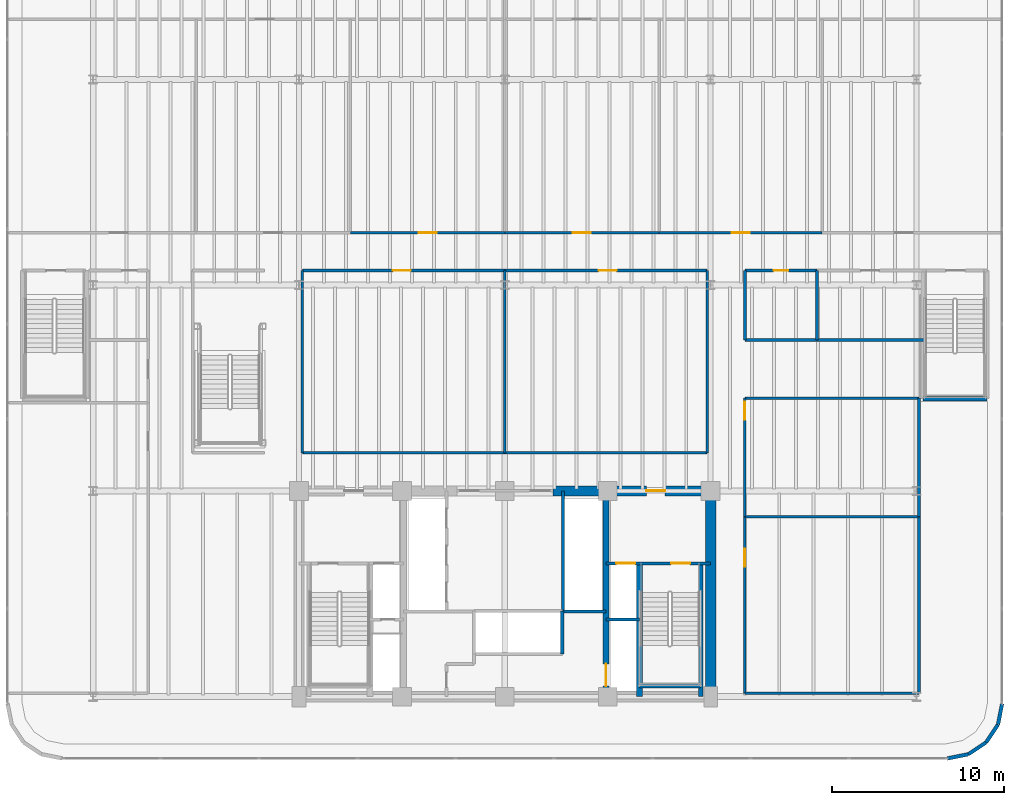
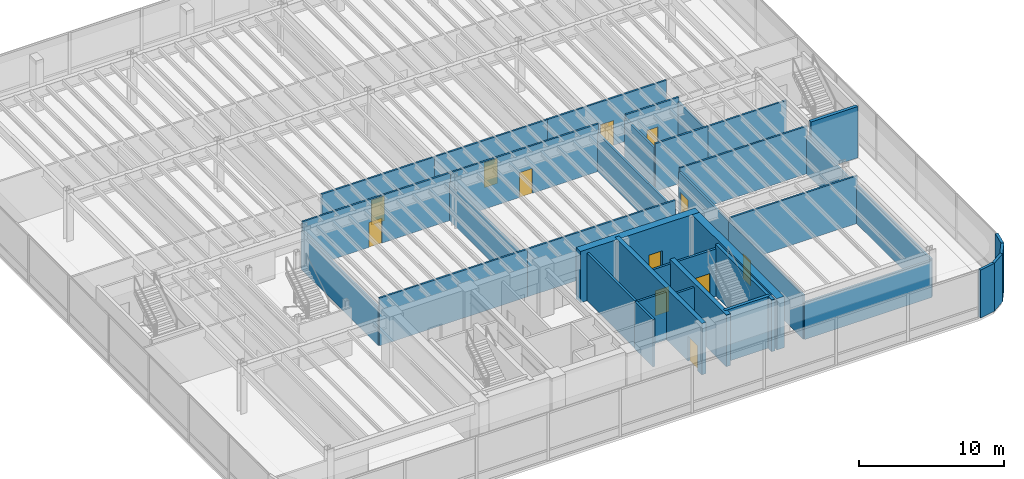
# One storey, part 13 of 18: 38 walls, 12 doors, 12 openings.
"""IFC4 building model written with IfcOpenShell, lengths in metres."""

from ifc_helpers import new_model, si_unit, direction, frame, frame_2d, origin, origin_2d, place, context, subcontext, project, spatial, rectangle, extrude, source, transform, mapped, material, layer, layer_set, type_object, element, fill, save


model = new_model("IFC4")

# Units and contexts
model_context = context("Model", 3, precision=1e-05, world=origin(), true_north=direction((0.0, 1.0)))
body_context = subcontext(model_context, "Body", "Model", "MODEL_VIEW")
ifc_project = project(units=[si_unit("LENGTHUNIT", "METRE"), si_unit("AREAUNIT", "SQUARE_METRE"), si_unit("VOLUMEUNIT", "CUBIC_METRE"), si_unit("PLANEANGLEUNIT", "RADIAN"), si_unit("MASSUNIT", "GRAM", prefix="KILO")], contexts=[model_context])

# Site, building, storey
site_placement = place(None, origin())
site = spatial("IfcSite", under=ifc_project, at=site_placement, CompositionType="ELEMENT")
building_placement = place(site_placement, origin())
building = spatial("IfcBuilding", under=site, at=building_placement, Name="Brelvock Crest Care Tower", CompositionType="ELEMENT")
storey_placement = place(building_placement, frame((0.0, 0.0, 5.39990234375)))
storey = spatial("IfcBuildingStorey", under=building, at=storey_placement, Name="L01", CompositionType="ELEMENT", Elevation=5.39990234375)

# Wall
ifc_material_1 = material(Name="Concrete S80 (80 MPa)", Category="concrete")
ifc_layer_1 = layer(ifc_material_1, 0.60009765625, Name="WL-CS1")
ifc_layer_set_1 = layer_set([ifc_layer_1], Name="Concrete S80 (80 MPa)")
wall_type_1 = type_object("IfcWallType", Name="WL-CS1", PredefinedType="SHEAR", material=ifc_layer_set_1)
wall_1_placement = place(storey_placement, frame((48.0, 18.0, 0.0), z_axis=(0.0, 0.0, 1.0), x_axis=(0.0, -1.0, 0.0)))
element("IfcWall", 1, at=wall_1_placement, inside=storey, type_object=wall_type_1, Name="L01 Core East Shear Wall", PredefinedType="SHEAR", context=body_context, shape_type="SweptSolid", body=[
    extrude(rectangle(XDim=12.0, YDim=0.60009765625, at=frame_2d((6.0, 0.0))), origin(), (0.0, 0.0, 1.0), 4.320068359375),
])

# Wall, opening, door
wall_2_placement = place(storey_placement, frame((38.800048828125, 18.0, 0.0), z_axis=(0.0, 0.0, 1.0), x_axis=(1.0, 0.0, 0.0)))
wall_2 = element("IfcWall", 2, at=wall_2_placement, inside=storey, type_object=wall_type_1, Name="L01 Core North-East Shear Wall", PredefinedType="SHEAR", context=body_context, shape_type="SweptSolid", body=[
    extrude(rectangle(XDim=9.5, YDim=0.60009765625, at=frame_2d((4.75, 0.0))), origin(), (0.0, 0.0, 1.0), 4.320068359375),
])
opening_1_placement = place(wall_2_placement, frame((5.449951171875, 0.0, 0.0)))
opening_1 = element("IfcOpeningElement", 3, at=opening_1_placement, cuts=wall_2, Name="Opening FD-1", PredefinedType="OPENING", context=body_context, shape_type="SweptSolid", body=[
    extrude(rectangle(XDim=1.10009765625, YDim=2.10009765625, at=origin_2d()), frame((0.550048828125, 0.31005859375, 1.050048828125), z_axis=(0.0, -1.0, 0.0), x_axis=(1.0, 0.0, 0.0)), (0.0, 0.0, 1.0), 0.6201171875),
])
ifc_material_2 = material(Name="Steel Grade 350", Category="steel")
door_type_1 = type_object("IfcDoorType", Name="DR-FFL1", OperationType="NOTDEFINED", PredefinedType="DOOR", material=ifc_material_2)
shared_shape_1 = source(origin(), body_context, "Body", "SweptSolid", [
    extrude(rectangle(XDim=1.10009765625, YDim=2.10009765625, at=origin_2d()), frame((0.550048828125, 0.02490234375, 1.050048828125), z_axis=(0.0, -1.0, 0.0), x_axis=(1.0, 0.0, 0.0)), (0.0, 0.0, 1.0), 0.050048828125),
])
door_1_placement = place(opening_1_placement, origin())
door_1 = element("IfcDoor", 4, at=door_1_placement, inside=storey, type_object=door_type_1, Name="L01 Firefighting Lobby FFL-2 Exit Door", OperationType="SINGLE_SWING_RIGHT", OverallHeight=2.10009765625, OverallWidth=1.10009765625, PredefinedType="DOOR", context=body_context, shape_type="MappedRepresentation", body=[
    mapped(shared_shape_1, transform((0.0, 0.0, 0.0), x_axis=(1.0, 0.0, 0.0), y_axis=(0.0, 1.0, 0.0), z_axis=(0.0, 0.0, 1.0), scale=1.0)),
])
fill(opening_1, door_1)

ifc_layer_2 = layer(ifc_material_1, 0.35009765625, Name="WL-CS5")
ifc_layer_set_2 = layer_set([ifc_layer_2], Name="Concrete S80 (80 MPa)")
wall_type_2 = type_object("IfcWallType", Name="WL-CS5", PredefinedType="SHEAR", material=ifc_layer_set_2)
wall_3_placement = place(storey_placement, frame((41.89990234375, 18.0, 0.0), z_axis=(0.0, 0.0, 1.0), x_axis=(0.0, -1.0, 0.0)))
wall_3 = element("IfcWall", 5, at=wall_3_placement, inside=storey, type_object=wall_type_2, Name="L01 Core Internal Web Wall East", PredefinedType="SHEAR", context=body_context, shape_type="SweptSolid", body=[
    extrude(rectangle(XDim=12.0, YDim=0.35009765625, at=frame_2d((6.0, 0.0))), origin(), (0.0, 0.0, 1.0), 4.320068359375),
])
opening_2_placement = place(wall_3_placement, frame((10.080078125, 0.0, 0.0)))
opening_2 = element("IfcOpeningElement", 6, at=opening_2_placement, cuts=wall_3, Name="Opening LD-S", PredefinedType="OPENING", context=body_context, shape_type="SweptSolid", body=[
    extrude(rectangle(XDim=1.300048828125, YDim=2.10009765625, at=origin_2d()), frame((0.64990234375, 0.18505859375, 1.050048828125), z_axis=(0.0, -1.0, 0.0), x_axis=(1.0, 0.0, 0.0)), (0.0, 0.0, 1.0), 0.3701171875),
])
door_type_2 = type_object("IfcDoorType", Name="DR-LDS1", OperationType="NOTDEFINED", PredefinedType="DOOR", material=ifc_material_2)
shared_shape_2 = source(origin(), body_context, "Body", "SweptSolid", [
    extrude(rectangle(XDim=1.300048828125, YDim=2.10009765625, at=origin_2d()), frame((0.64990234375, 0.02490234375, 1.050048828125), z_axis=(0.0, -1.0, 0.0), x_axis=(1.0, 0.0, 0.0)), (0.0, 0.0, 1.0), 0.050048828125),
])
door_2_placement = place(opening_2_placement, origin())
door_2 = element("IfcDoor", 7, at=door_2_placement, inside=storey, type_object=door_type_2, Name="L01 Clinical Bed Lift SL-1 Landing Door", OperationType="SLIDING_TO_LEFT", OverallHeight=2.10009765625, OverallWidth=1.300048828125, PredefinedType="DOOR", context=body_context, shape_type="MappedRepresentation", body=[
    mapped(shared_shape_2, transform((0.0, 0.0, 0.0), x_axis=(1.0, 0.0, 0.0), y_axis=(0.0, 1.0, 0.0), z_axis=(0.0, 0.0, 1.0), scale=1.0)),
])
fill(opening_2, door_2)

# Walls
wall_4_placement = place(storey_placement, frame((43.85009765625, 6.0, 0.0), z_axis=(0.0, 0.0, 1.0), x_axis=(0.0, 1.0, 0.0)))
element("IfcWall", 8, at=wall_4_placement, inside=storey, type_object=wall_type_2, Name="L01 Core Stair ST-2 West Shear Wall", PredefinedType="SHEAR", context=body_context, shape_type="SweptSolid", body=[
    extrude(rectangle(XDim=7.780029296875, YDim=0.35009765625, at=frame_2d((3.89013671875, 0.0))), origin(), (0.0, 0.0, 1.0), 4.360107421875),
])
ifc_layer_3 = layer(ifc_material_1, 0.25, Name="WL-CS6")
ifc_layer_set_3 = layer_set([ifc_layer_3], Name="Concrete S80 (80 MPa)")
wall_type_3 = type_object("IfcWallType", Name="WL-CS6", PredefinedType="SHEAR", material=ifc_layer_set_3)
wall_5_placement = place(storey_placement, frame((60.3798828125, 23.3798828125, 0.0), z_axis=(0.0, 0.0, 1.0), x_axis=(1.0, 0.0, 0.0)))
element("IfcWall", 9, at=wall_5_placement, inside=storey, type_object=wall_type_3, Name="L01 Podium Stair ST-4 South Shear Wall", PredefinedType="SHEAR", context=body_context, shape_type="SweptSolid", body=[
    extrude(rectangle(XDim=3.740234375, YDim=0.25, at=frame_2d((1.8701171875, 0.0))), origin(), (0.0, 0.0, 1.0), 4.320068359375),
])
wall_6_placement = place(storey_placement, frame((47.419921875, 6.0, 0.0), z_axis=(0.0, 0.0, 1.0), x_axis=(0.0, 1.0, 0.0)))
element("IfcWall", 10, at=wall_6_placement, inside=storey, type_object=wall_type_3, Name="L01 Core Stair ST-2 East Shear Wall", PredefinedType="SHEAR", context=body_context, shape_type="SweptSolid", body=[
    extrude(rectangle(XDim=7.780029296875, YDim=0.25, at=frame_2d((3.89013671875, 0.0))), origin(), (0.0, 0.0, 1.0), 4.360107421875),
])
wall_7_placement = place(storey_placement, frame((43.85009765625, 6.6201171875, 0.0), z_axis=(0.0, 0.0, 1.0), x_axis=(1.0, 0.0, 0.0)))
element("IfcWall", 11, at=wall_7_placement, inside=storey, type_object=wall_type_3, Name="L01 Core Stair ST-2 South Shear Wall", PredefinedType="SHEAR", context=body_context, shape_type="SweptSolid", body=[
    extrude(rectangle(XDim=3.56982421875, YDim=0.25, at=frame_2d((1.784912109375, 0.0))), origin(), (0.0, 0.0, 1.0), 4.360107421875),
])
ifc_material_3 = material(Name="Precast concrete N40 (40 MPa)", Category="concrete")
ifc_layer_4 = layer(ifc_material_3, 0.215087890625, Name="WL-EX2")
ifc_layer_set_4 = layer_set([ifc_layer_4], Name="Precast concrete N40 (40 MPa)")
wall_type_4 = type_object("IfcWallType", Name="WL-EX2", PredefinedType="SOLIDWALL", material=ifc_layer_set_4)
for number, where, z_axis, x_axis, name in (
    (12, (65.0, 5.60009765625, 0.0), (0.0, 0.0, 1.0), (-0.195138390419, -0.980775717779, 0.0), "L01 Rounded Corner Wall 15"),
    (13, (64.75634765625, 4.37548828125, 0.0), (0.0, 0.0, 1.0), (-0.555557312883, -0.831478245117, 0.0), "L01 Rounded Corner Wall 16"),
    (14, (64.062744140625, 3.33740234375, 0.0), (0.0, 0.0, 1.0), (-0.831387912822, -0.555692485475, 0.0), "L01 Rounded Corner Wall 17"),
    (15, (63.024658203125, 2.6435546875, 0.0), (0.0, 0.0, 1.0), (-0.980775717779, -0.195138390419, 0.0), "L01 Rounded Corner Wall 18"),
):
    element("IfcWall", number, at=place(storey_placement, frame(where, z_axis=z_axis, x_axis=x_axis)), inside=storey, type_object=wall_type_4, Name=name, PredefinedType="SOLIDWALL", context=body_context, shape_type="SweptSolid", body=[
        extrude(rectangle(XDim=1.24853515625, YDim=0.215087890625, at=frame_2d((0.624267578125, 0.0))), origin(), (0.0, 0.0, 1.0), 4.0400390625),
    ])
ifc_material_4 = material(Name="Masonry Blockwork Acoustic Partition", Category="masonry")
ifc_layer_5 = layer(ifc_material_4, 0.14990234375, Name="WL-INT1")
ifc_layer_set_5 = layer_set([ifc_layer_5], Name="Masonry Blockwork Acoustic Partition")
wall_type_5 = type_object("IfcWallType", Name="WL-INT1", PredefinedType="PARTITIONING", material=ifc_layer_set_5)
wall_8_placement = place(storey_placement, frame((50.0, 6.199951171875, 0.0), z_axis=(0.0, 0.0, 1.0), x_axis=(1.0, 0.0, 0.0)))
element("IfcWall", 16, at=wall_8_placement, inside=storey, type_object=wall_type_5, Name="L01 Interior Wall WL-BX-L01-CL4A-S", PredefinedType="PARTITIONING", context=body_context, shape_type="SweptSolid", body=[
    extrude(rectangle(XDim=10.14990234375, YDim=0.14990234375, at=frame_2d((5.074951171875, 0.0))), origin(), (0.0, 0.0, 1.0), 3.125),
])
wall_9_placement = place(storey_placement, frame((50.0, 16.5, 0.0), z_axis=(0.0, 0.0, 1.0), x_axis=(1.0, 0.0, 0.0)))
element("IfcWall", 17, at=wall_9_placement, inside=storey, type_object=wall_type_5, Name="L01 Interior Wall WL-BX-L01-CL4A-N", PredefinedType="PARTITIONING", context=body_context, shape_type="SweptSolid", body=[
    extrude(rectangle(XDim=10.14990234375, YDim=0.14990234375, at=frame_2d((5.074951171875, 0.0))), origin(), (0.0, 0.0, 1.0), 4.010009765625),
])
for number, where, z_axis, x_axis, name in (
    (18, (24.199951171875, 20.219970703125, 0.0), (0.0, 0.0, 1.0), (1.0, 0.0, 0.0), "L01 Interior Wall WL-BX-L01-CL2-S"),
    (19, (36.0, 20.219970703125, 0.0), (0.0, 0.0, 1.0), (1.0, 0.0, 0.0), "L01 Interior Wall WL-BX-L01-CL3-S"),
):
    element("IfcWall", number, at=place(storey_placement, frame(where, z_axis=z_axis, x_axis=x_axis)), inside=storey, type_object=wall_type_5, Name=name, PredefinedType="PARTITIONING", context=body_context, shape_type="SweptSolid", body=[
        extrude(rectangle(XDim=11.800048828125, YDim=0.14990234375, at=frame_2d((5.89990234375, 0.0))), origin(), (0.0, 0.0, 1.0), 4.010009765625),
    ])
wall_10_placement = place(storey_placement, frame((50.0, 23.409912109375, 0.0), z_axis=(0.0, 0.0, 1.0), x_axis=(1.0, 0.0, 0.0)))
element("IfcWall", 20, at=wall_10_placement, inside=storey, type_object=wall_type_5, Name="L01 Interior Wall WL-BX-L01-CL4B-N", PredefinedType="PARTITIONING", context=body_context, shape_type="SweptSolid", body=[
    extrude(rectangle(XDim=10.14990234375, YDim=0.14990234375, at=frame_2d((5.074951171875, 0.0))), origin(), (0.0, 0.0, 1.0), 4.010009765625),
])
wall_11_placement = place(storey_placement, frame((54.199951171875, 26.800048828125, 0.0), z_axis=(0.0, 0.0, 1.0), x_axis=(1.0, 0.0, 0.0)))
element("IfcWall", 21, at=wall_11_placement, inside=storey, type_object=wall_type_5, Name="L01 Interior Wall WL-BX-L01-REC2-S", PredefinedType="PARTITIONING", context=body_context, shape_type="SweptSolid", body=[
    extrude(rectangle(XDim=6.25, YDim=0.14990234375, at=frame_2d((3.125, 0.0))), origin(), (0.0, 0.0, 1.0), 4.010009765625),
])

# Wall, opening, door
wall_12_placement = place(storey_placement, frame((24.199951171875, 30.85009765625, 0.0), z_axis=(0.0, 0.0, 1.0), x_axis=(1.0, 0.0, 0.0)))
wall_12 = element("IfcWall", 22, at=wall_12_placement, inside=storey, type_object=wall_type_5, Name="L01 Interior Wall WL-RM-L01-CL2", PredefinedType="PARTITIONING", context=body_context, shape_type="SweptSolid", body=[
    extrude(rectangle(XDim=11.800048828125, YDim=0.14990234375, at=frame_2d((5.89990234375, 0.0))), origin(), (0.0, 0.0, 1.0), 4.010009765625),
])
opening_3_placement = place(wall_12_placement, frame((5.27490234375, 0.0, 0.0)))
opening_3 = element("IfcOpeningElement", 23, at=opening_3_placement, cuts=wall_12, Name="Opening CLD-1", PredefinedType="OPENING", context=body_context, shape_type="SweptSolid", body=[
    extrude(rectangle(XDim=1.050048828125, YDim=2.10009765625, at=origin_2d()), frame((0.52490234375, 0.0849609375, 1.050048828125), z_axis=(0.0, -1.0, 0.0), x_axis=(1.0, 0.0, 0.0)), (0.0, 0.0, 1.0), 0.169921875),
])
ifc_material_5 = material(Name="Engineered Hardwood Timber", Category="wood")
door_type_3 = type_object("IfcDoorType", Name="DR-CLN1", OperationType="NOTDEFINED", PredefinedType="DOOR", material=ifc_material_5)
shared_shape_3 = source(origin(), body_context, "Body", "SweptSolid", [
    extrude(rectangle(XDim=1.050048828125, YDim=2.10009765625, at=origin_2d()), frame((0.52490234375, 0.02490234375, 1.050048828125), z_axis=(0.0, -1.0, 0.0), x_axis=(1.0, 0.0, 0.0)), (0.0, 0.0, 1.0), 0.050048828125),
])
door_3_placement = place(opening_3_placement, origin())
door_3 = element("IfcDoor", 24, at=door_3_placement, inside=storey, type_object=door_type_3, Name="L01 Audiology and Memory Clinic Door CL2", OperationType="SINGLE_SWING_LEFT", OverallHeight=2.10009765625, OverallWidth=1.050048828125, PredefinedType="DOOR", context=body_context, shape_type="MappedRepresentation", body=[
    mapped(shared_shape_3, transform((0.0, 0.0, 0.0), x_axis=(1.0, 0.0, 0.0), y_axis=(0.0, 1.0, 0.0), z_axis=(0.0, 0.0, 1.0), scale=1.0)),
])
fill(opening_3, door_3)

wall_13_placement = place(storey_placement, frame((36.0, 30.85009765625, 0.0), z_axis=(0.0, 0.0, 1.0), x_axis=(1.0, 0.0, 0.0)))
wall_13 = element("IfcWall", 25, at=wall_13_placement, inside=storey, type_object=wall_type_5, Name="L01 Interior Wall WL-RM-L01-CL3", PredefinedType="PARTITIONING", context=body_context, shape_type="SweptSolid", body=[
    extrude(rectangle(XDim=11.800048828125, YDim=0.14990234375, at=frame_2d((5.89990234375, 0.0))), origin(), (0.0, 0.0, 1.0), 4.010009765625),
])
opening_4_placement = place(wall_13_placement, frame((5.47509765625, 0.0, 0.0)))
opening_4 = element("IfcOpeningElement", 26, at=opening_4_placement, cuts=wall_13, Name="Opening CLD-1", PredefinedType="OPENING", context=body_context, shape_type="SweptSolid", body=[
    extrude(rectangle(XDim=1.050048828125, YDim=2.10009765625, at=origin_2d()), frame((0.52490234375, 0.0849609375, 1.050048828125), z_axis=(0.0, -1.0, 0.0), x_axis=(1.0, 0.0, 0.0)), (0.0, 0.0, 1.0), 0.169921875),
])
door_4_placement = place(opening_4_placement, origin())
door_4 = element("IfcDoor", 27, at=door_4_placement, inside=storey, type_object=door_type_3, Name="L01 Cardiology Assessment Suite Door CL3", OperationType="SINGLE_SWING_LEFT", OverallHeight=2.10009765625, OverallWidth=1.050048828125, PredefinedType="DOOR", context=body_context, shape_type="MappedRepresentation", body=[
    mapped(shared_shape_3, transform((0.0, 0.0, 0.0), x_axis=(1.0, 0.0, 0.0), y_axis=(0.0, 1.0, 0.0), z_axis=(0.0, 0.0, 1.0), scale=1.0)),
])
fill(opening_4, door_4)

wall_14_placement = place(storey_placement, frame((27.0, 33.050048828125, 0.0), z_axis=(0.0, 0.0, 1.0), x_axis=(1.0, 0.0, 0.0)))
wall_14 = element("IfcWall", 28, at=wall_14_placement, inside=storey, type_object=wall_type_5, Name="L01 Interior Wall WL-RM-L01-CL6A", PredefinedType="PARTITIONING", context=body_context, shape_type="SweptSolid", body=[
    extrude(rectangle(XDim=9.0, YDim=0.14990234375, at=frame_2d((4.5, 0.0))), origin(), (0.0, 0.0, 1.0), 4.010009765625),
])
opening_5_placement = place(wall_14_placement, frame((3.97509765625, 0.0, 0.0)))
opening_5 = element("IfcOpeningElement", 29, at=opening_5_placement, cuts=wall_14, Name="Opening CLD-1", PredefinedType="OPENING", context=body_context, shape_type="SweptSolid", body=[
    extrude(rectangle(XDim=1.050048828125, YDim=2.10009765625, at=origin_2d()), frame((0.52490234375, 0.0849609375, 1.050048828125), z_axis=(0.0, -1.0, 0.0), x_axis=(1.0, 0.0, 0.0)), (0.0, 0.0, 1.0), 0.169921875),
])
door_5_placement = place(opening_5_placement, origin())
door_5 = element("IfcDoor", 30, at=door_5_placement, inside=storey, type_object=door_type_3, Name="L01 Outpatient Consultation West Door CL6A", OperationType="SINGLE_SWING_LEFT", OverallHeight=2.10009765625, OverallWidth=1.050048828125, PredefinedType="DOOR", context=body_context, shape_type="MappedRepresentation", body=[
    mapped(shared_shape_3, transform((0.0, 0.0, 0.0), x_axis=(1.0, 0.0, 0.0), y_axis=(0.0, 1.0, 0.0), z_axis=(0.0, 0.0, 1.0), scale=1.0)),
])
fill(opening_5, door_5)

wall_15_placement = place(storey_placement, frame((36.0, 33.050048828125, 0.0), z_axis=(0.0, 0.0, 1.0), x_axis=(1.0, 0.0, 0.0)))
wall_15 = element("IfcWall", 31, at=wall_15_placement, inside=storey, type_object=wall_type_5, Name="L01 Interior Wall WL-RM-L01-CL6B", PredefinedType="PARTITIONING", context=body_context, shape_type="SweptSolid", body=[
    extrude(rectangle(XDim=9.0, YDim=0.14990234375, at=frame_2d((4.5, 0.0))), origin(), (0.0, 0.0, 1.0), 4.010009765625),
])
opening_6_placement = place(wall_15_placement, frame((3.97509765625, 0.0, 0.0)))
opening_6 = element("IfcOpeningElement", 32, at=opening_6_placement, cuts=wall_15, Name="Opening CLD-1", PredefinedType="OPENING", context=body_context, shape_type="SweptSolid", body=[
    extrude(rectangle(XDim=1.050048828125, YDim=2.10009765625, at=origin_2d()), frame((0.52490234375, 0.0849609375, 1.050048828125), z_axis=(0.0, -1.0, 0.0), x_axis=(1.0, 0.0, 0.0)), (0.0, 0.0, 1.0), 0.169921875),
])
door_6_placement = place(opening_6_placement, origin())
door_6 = element("IfcDoor", 33, at=door_6_placement, inside=storey, type_object=door_type_3, Name="L01 Outpatient Consultation East Door CL6B", OperationType="SINGLE_SWING_LEFT", OverallHeight=2.10009765625, OverallWidth=1.050048828125, PredefinedType="DOOR", context=body_context, shape_type="MappedRepresentation", body=[
    mapped(shared_shape_3, transform((0.0, 0.0, 0.0), x_axis=(1.0, 0.0, 0.0), y_axis=(0.0, 1.0, 0.0), z_axis=(0.0, 0.0, 1.0), scale=1.0)),
])
fill(opening_6, door_6)

wall_16_placement = place(storey_placement, frame((45.0, 33.050048828125, 0.0), z_axis=(0.0, 0.0, 1.0), x_axis=(1.0, 0.0, 0.0)))
wall_16 = element("IfcWall", 34, at=wall_16_placement, inside=storey, type_object=wall_type_5, Name="L01 Interior Wall WL-RM-L01-CL7A", PredefinedType="PARTITIONING", context=body_context, shape_type="SweptSolid", body=[
    extrude(rectangle(XDim=9.5, YDim=0.14990234375, at=frame_2d((4.75, 0.0))), origin(), (0.0, 0.0, 1.0), 4.010009765625),
])
opening_7_placement = place(wall_16_placement, frame((4.22509765625, 0.0, 0.0)))
opening_7 = element("IfcOpeningElement", 35, at=opening_7_placement, cuts=wall_16, Name="Opening CLD-1", PredefinedType="OPENING", context=body_context, shape_type="SweptSolid", body=[
    extrude(rectangle(XDim=1.050048828125, YDim=2.10009765625, at=origin_2d()), frame((0.52490234375, 0.0849609375, 1.050048828125), z_axis=(0.0, -1.0, 0.0), x_axis=(1.0, 0.0, 0.0)), (0.0, 0.0, 1.0), 0.169921875),
])
door_7_placement = place(opening_7_placement, origin())
door_7 = element("IfcDoor", 36, at=door_7_placement, inside=storey, type_object=door_type_3, Name="L01 Minor Procedure Suite Door CL7A", OperationType="SINGLE_SWING_LEFT", OverallHeight=2.10009765625, OverallWidth=1.050048828125, PredefinedType="DOOR", context=body_context, shape_type="MappedRepresentation", body=[
    mapped(shared_shape_3, transform((0.0, 0.0, 0.0), x_axis=(1.0, 0.0, 0.0), y_axis=(0.0, 1.0, 0.0), z_axis=(0.0, 0.0, 1.0), scale=1.0)),
])
fill(opening_7, door_7)

# Walls
for number, where, z_axis, x_axis, name in (
    (37, (24.199951171875, 20.219970703125, 0.0), (0.0, 0.0, 1.0), (0.0, 1.0, 0.0), "L01 Interior Wall WL-BX-L01-CL2-W"),
    (38, (36.0, 20.219970703125, 0.0), (0.0, 0.0, 1.0), (0.0, 1.0, 0.0), "L01 Interior Wall WL-BX-L01-CL2-E"),
    (39, (47.800048828125, 20.219970703125, 0.0), (0.0, 0.0, 1.0), (0.0, 1.0, 0.0), "L01 Interior Wall WL-BX-L01-CL3-E"),
):
    element("IfcWall", number, at=place(storey_placement, frame(where, z_axis=z_axis, x_axis=x_axis)), inside=storey, type_object=wall_type_5, Name=name, PredefinedType="PARTITIONING", context=body_context, shape_type="SweptSolid", body=[
        extrude(rectangle(XDim=10.630126953125, YDim=0.14990234375, at=frame_2d((5.31494140625, 0.0))), origin(), (0.0, 0.0, 1.0), 3.22509765625),
    ])

# Wall, opening, door
wall_17_placement = place(storey_placement, frame((50.0, 6.199951171875, 0.0), z_axis=(0.0, 0.0, 1.0), x_axis=(0.0, 1.0, 0.0)))
wall_17 = element("IfcWall", 40, at=wall_17_placement, inside=storey, type_object=wall_type_5, Name="L01 Interior Wall WL-RM-L01-CL4A", PredefinedType="PARTITIONING", context=body_context, shape_type="SweptSolid", body=[
    extrude(rectangle(XDim=10.300048828125, YDim=0.14990234375, at=frame_2d((5.14990234375, 0.0))), origin(), (0.0, 0.0, 1.0), 3.718017578125),
])
opening_8_placement = place(wall_17_placement, frame((7.375, 0.0, 0.0)))
opening_8 = element("IfcOpeningElement", 41, at=opening_8_placement, cuts=wall_17, Name="Opening CLD-1", PredefinedType="OPENING", context=body_context, shape_type="SweptSolid", body=[
    extrude(rectangle(XDim=1.050048828125, YDim=2.10009765625, at=origin_2d()), frame((0.52490234375, 0.0849609375, 1.050048828125), z_axis=(0.0, -1.0, 0.0), x_axis=(1.0, 0.0, 0.0)), (0.0, 0.0, 1.0), 0.169921875),
])
door_8_placement = place(opening_8_placement, origin())
door_8 = element("IfcDoor", 42, at=door_8_placement, inside=storey, type_object=door_type_3, Name="L01 Diagnostic Imaging Suite Door CL4A", OperationType="SINGLE_SWING_LEFT", OverallHeight=2.10009765625, OverallWidth=1.050048828125, PredefinedType="DOOR", context=body_context, shape_type="MappedRepresentation", body=[
    mapped(shared_shape_3, transform((0.0, 0.0, 0.0), x_axis=(1.0, 0.0, 0.0), y_axis=(0.0, 1.0, 0.0), z_axis=(0.0, 0.0, 1.0), scale=1.0)),
])
fill(opening_8, door_8)

wall_18_placement = place(storey_placement, frame((50.0, 16.5, 0.0), z_axis=(0.0, 0.0, 1.0), x_axis=(0.0, 1.0, 0.0)))
wall_18 = element("IfcWall", 43, at=wall_18_placement, inside=storey, type_object=wall_type_5, Name="L01 Interior Wall WL-RM-L01-CL4B", PredefinedType="PARTITIONING", context=body_context, shape_type="SweptSolid", body=[
    extrude(rectangle(XDim=6.909912109375, YDim=0.14990234375, at=frame_2d((3.455078125, 0.0))), origin(), (0.0, 0.0, 1.0), 3.718017578125),
])
opening_9_placement = place(wall_18_placement, frame((5.639892578125, 0.0, 0.0)))
opening_9 = element("IfcOpeningElement", 44, at=opening_9_placement, cuts=wall_18, Name="Opening CLD-1", PredefinedType="OPENING", context=body_context, shape_type="SweptSolid", body=[
    extrude(rectangle(XDim=1.050048828125, YDim=2.10009765625, at=origin_2d()), frame((0.52490234375, 0.0849609375, 1.050048828125), z_axis=(0.0, -1.0, 0.0), x_axis=(1.0, 0.0, 0.0)), (0.0, 0.0, 1.0), 0.169921875),
])
door_9_placement = place(opening_9_placement, origin())
door_9 = element("IfcDoor", 45, at=door_9_placement, inside=storey, type_object=door_type_3, Name="L01 Ultrasound and Bone Density Door CL4B", OperationType="SINGLE_SWING_LEFT", OverallHeight=2.10009765625, OverallWidth=1.050048828125, PredefinedType="DOOR", context=body_context, shape_type="MappedRepresentation", body=[
    mapped(shared_shape_3, transform((0.0, 0.0, 0.0), x_axis=(1.0, 0.0, 0.0), y_axis=(0.0, 1.0, 0.0), z_axis=(0.0, 0.0, 1.0), scale=1.0)),
])
fill(opening_9, door_9)

# Walls
wall_19_placement = place(storey_placement, frame((60.14990234375, 6.199951171875, 0.0), z_axis=(0.0, 0.0, 1.0), x_axis=(0.0, 1.0, 0.0)))
element("IfcWall", 46, at=wall_19_placement, inside=storey, type_object=wall_type_5, Name="L01 Interior Wall WL-BX-L01-CL4A-E", PredefinedType="PARTITIONING", context=body_context, shape_type="SweptSolid", body=[
    extrude(rectangle(XDim=10.300048828125, YDim=0.14990234375, at=frame_2d((5.14990234375, 0.0))), origin(), (0.0, 0.0, 1.0), 3.22509765625),
])
wall_20_placement = place(storey_placement, frame((60.14990234375, 16.5, 0.0), z_axis=(0.0, 0.0, 1.0), x_axis=(0.0, 1.0, 0.0)))
element("IfcWall", 47, at=wall_20_placement, inside=storey, type_object=wall_type_5, Name="L01 Interior Wall WL-BX-L01-CL4B-E", PredefinedType="PARTITIONING", context=body_context, shape_type="SweptSolid", body=[
    extrude(rectangle(XDim=6.909912109375, YDim=0.14990234375, at=frame_2d((3.455078125, 0.0))), origin(), (0.0, 0.0, 1.0), 3.22509765625),
])
ifc_material_6 = material(Name="Gypsum Plasterboard Partition", Category="gypsum")
ifc_layer_6 = layer(ifc_material_6, 0.159912109375, Name="WL-PLM1")
ifc_layer_set_6 = layer_set([ifc_layer_6], Name="Gypsum Plasterboard Partition")
wall_type_6 = type_object("IfcWallType", Name="WL-PLM1", PredefinedType="PLUMBINGWALL", material=ifc_layer_set_6)
wall_21_placement = place(storey_placement, frame((50.0, 26.800048828125, 0.0), z_axis=(0.0, 0.0, 1.0), x_axis=(1.0, 0.0, 0.0)))
element("IfcWall", 48, at=wall_21_placement, inside=storey, type_object=wall_type_6, Name="L01 Interior Wall WL-BX-L01-SWC-S", PredefinedType="PLUMBINGWALL", context=body_context, shape_type="SweptSolid", body=[
    extrude(rectangle(XDim=4.199951171875, YDim=0.159912109375, at=frame_2d((2.10009765625, 0.0))), origin(), (0.0, 0.0, 1.0), 4.010009765625),
])

# Wall, opening, door
wall_22_placement = place(storey_placement, frame((50.0, 30.85009765625, 0.0), z_axis=(0.0, 0.0, 1.0), x_axis=(1.0, 0.0, 0.0)))
wall_22 = element("IfcWall", 49, at=wall_22_placement, inside=storey, type_object=wall_type_6, Name="L01 Interior Wall WL-RM-L01-SWC", PredefinedType="PLUMBINGWALL", context=body_context, shape_type="SweptSolid", body=[
    extrude(rectangle(XDim=4.199951171875, YDim=0.159912109375, at=frame_2d((2.10009765625, 0.0))), origin(), (0.0, 0.0, 1.0), 4.010009765625),
])
opening_10_placement = place(wall_22_placement, frame((1.669921875, 0.0, 0.0)))
opening_10 = element("IfcOpeningElement", 50, at=opening_10_placement, cuts=wall_22, Name="Opening WD-1", PredefinedType="OPENING", context=body_context, shape_type="SweptSolid", body=[
    extrude(rectangle(XDim=0.860107421875, YDim=2.10009765625, at=origin_2d()), frame((0.43017578125, 0.08984375, 1.050048828125), z_axis=(0.0, -1.0, 0.0), x_axis=(1.0, 0.0, 0.0)), (0.0, 0.0, 1.0), 0.179931640625),
])
door_type_4 = type_object("IfcDoorType", Name="DR-WC1", OperationType="NOTDEFINED", PredefinedType="DOOR", material=ifc_material_5)
shared_shape_4 = source(origin(), body_context, "Body", "SweptSolid", [
    extrude(rectangle(XDim=0.860107421875, YDim=2.10009765625, at=origin_2d()), frame((0.43017578125, 0.02490234375, 1.050048828125), z_axis=(0.0, -1.0, 0.0), x_axis=(1.0, 0.0, 0.0)), (0.0, 0.0, 1.0), 0.050048828125),
])
door_10_placement = place(opening_10_placement, origin())
door_10 = element("IfcDoor", 51, at=door_10_placement, inside=storey, type_object=door_type_4, Name="L01 Staff Amenities WC Door SWC", OperationType="SINGLE_SWING_LEFT", OverallHeight=2.10009765625, OverallWidth=0.860107421875, PredefinedType="DOOR", context=body_context, shape_type="MappedRepresentation", body=[
    mapped(shared_shape_4, transform((0.0, 0.0, 0.0), x_axis=(1.0, 0.0, 0.0), y_axis=(0.0, 1.0, 0.0), z_axis=(0.0, 0.0, 1.0), scale=1.0)),
])
fill(opening_10, door_10)

# Walls
for number, where, z_axis, x_axis, name in (
    (52, (50.0, 26.800048828125, 0.0), (0.0, 0.0, 1.0), (0.0, 1.0, 0.0), "L01 Interior Wall WL-BX-L01-SWC-W"),
    (53, (54.199951171875, 26.800048828125, 0.0), (0.0, 0.0, 1.0), (0.0, 1.0, 0.0), "L01 Interior Wall WL-BX-L01-REC2-W"),
):
    element("IfcWall", number, at=place(storey_placement, frame(where, z_axis=z_axis, x_axis=x_axis)), inside=storey, type_object=wall_type_6, Name=name, PredefinedType="PLUMBINGWALL", context=body_context, shape_type="SweptSolid", body=[
        extrude(rectangle(XDim=4.050048828125, YDim=0.159912109375, at=frame_2d((2.02490234375, 0.0))), origin(), (0.0, 0.0, 1.0), 3.666015625),
    ])
ifc_layer_7 = layer(ifc_material_4, 0.179931640625, Name="WL-SHF1")
ifc_layer_set_7 = layer_set([ifc_layer_7], Name="Masonry Blockwork Acoustic Partition")
wall_type_7 = type_object("IfcWallType", Name="WL-SHF1", PredefinedType="PARTITIONING", material=ifc_layer_set_7)
wall_23_placement = place(storey_placement, frame((39.35009765625, 8.5, 0.0), z_axis=(0.0, 0.0, 1.0), x_axis=(0.0, 1.0, 0.0)))
element("IfcWall", 54, at=wall_23_placement, inside=storey, type_object=wall_type_7, Name="L01 Interior Wall WL-PLM-E-L01", PredefinedType="PARTITIONING", context=body_context, shape_type="SweptSolid", body=[
    extrude(rectangle(XDim=2.5, YDim=0.179931640625, at=frame_2d((1.25, 0.0))), origin(), (0.0, 0.0, 1.0), 4.010009765625),
])
wall_24_placement = place(storey_placement, frame((39.39990234375, 11.0, 0.0), z_axis=(0.0, 0.0, 1.0), x_axis=(0.0, 1.0, 0.0)))
element("IfcWall", 55, at=wall_24_placement, inside=storey, type_object=wall_type_7, Name="L01 Interior Wall WL-PLH-SHF-L01", PredefinedType="PARTITIONING", context=body_context, shape_type="SweptSolid", body=[
    extrude(rectangle(XDim=7.0, YDim=0.179931640625, at=frame_2d((3.5, 0.0))), origin(), (0.0, 0.0, 1.0), 4.010009765625),
])
wall_25_placement = place(storey_placement, frame((39.35009765625, 10.97998046875, 0.0), z_axis=(0.0, 0.0, 1.0), x_axis=(1.0, 0.0, 0.0)))
element("IfcWall", 56, at=wall_25_placement, inside=storey, type_object=wall_type_7, Name="L01 Interior Wall WL-CSBE-N-L01", PredefinedType="PARTITIONING", context=body_context, shape_type="SweptSolid", body=[
    extrude(rectangle(XDim=2.5498046875, YDim=0.179931640625, at=frame_2d((1.27490234375, 0.0))), origin(), (0.0, 0.0, 1.0), 4.010009765625),
])

# Wall, openings, doors
wall_26_placement = place(storey_placement, frame((41.89990234375, 13.780029296875, 0.0), z_axis=(0.0, 0.0, 1.0), x_axis=(1.0, 0.0, 0.0)))
wall_26 = element("IfcWall", 57, at=wall_26_placement, inside=storey, type_object=wall_type_7, Name="L01 Interior Wall WL-ST2-N-L01", PredefinedType="PARTITIONING", context=body_context, shape_type="SweptSolid", body=[
    extrude(rectangle(XDim=6.10009765625, YDim=0.179931640625, at=frame_2d((3.050048828125, 0.0))), origin(), (0.0, 0.0, 1.0), 4.010009765625),
])
opening_11_placement = place(wall_26_placement, frame((0.60009765625, 0.0, 0.0)))
opening_11 = element("IfcOpeningElement", 58, at=opening_11_placement, cuts=wall_26, Name="Opening LD", PredefinedType="OPENING", context=body_context, shape_type="SweptSolid", body=[
    extrude(rectangle(XDim=1.10009765625, YDim=2.10009765625, at=origin_2d()), frame((0.550048828125, 0.10009765625, 1.050048828125), z_axis=(0.0, -1.0, 0.0), x_axis=(1.0, 0.0, 0.0)), (0.0, 0.0, 1.0), 0.199951171875),
])
opening_12_placement = place(wall_26_placement, frame((3.800048828125, 0.0, 0.0)))
opening_12 = element("IfcOpeningElement", 59, at=opening_12_placement, cuts=wall_26, Name="Opening SD-1", PredefinedType="OPENING", context=body_context, shape_type="SweptSolid", body=[
    extrude(rectangle(XDim=1.10009765625, YDim=2.10009765625, at=origin_2d()), frame((0.550048828125, 0.10009765625, 1.050048828125), z_axis=(0.0, -1.0, 0.0), x_axis=(1.0, 0.0, 0.0)), (0.0, 0.0, 1.0), 0.199951171875),
])
door_type_5 = type_object("IfcDoorType", Name="DR-ST1", OperationType="NOTDEFINED", PredefinedType="DOOR", material=ifc_material_2)
shared_shape_5 = source(origin(), body_context, "Body", "SweptSolid", [
    extrude(rectangle(XDim=1.10009765625, YDim=2.10009765625, at=origin_2d()), frame((0.550048828125, 0.02490234375, 1.050048828125), z_axis=(0.0, -1.0, 0.0), x_axis=(1.0, 0.0, 0.0)), (0.0, 0.0, 1.0), 0.050048828125),
])
door_11_placement = place(opening_12_placement, origin())
door_11 = element("IfcDoor", 60, at=door_11_placement, inside=storey, type_object=door_type_5, Name="L01 Fire Stair ST-2 Door", OperationType="SINGLE_SWING_RIGHT", OverallHeight=2.10009765625, OverallWidth=1.10009765625, PredefinedType="DOOR", context=body_context, shape_type="MappedRepresentation", body=[
    mapped(shared_shape_5, transform((0.0, 0.0, 0.0), x_axis=(1.0, 0.0, 0.0), y_axis=(0.0, 1.0, 0.0), z_axis=(0.0, 0.0, 1.0), scale=1.0)),
])
fill(opening_12, door_11)
door_type_6 = type_object("IfcDoorType", Name="DR-LD1", OperationType="NOTDEFINED", PredefinedType="DOOR", material=ifc_material_2)
shared_shape_6 = source(origin(), body_context, "Body", "SweptSolid", [
    extrude(rectangle(XDim=1.10009765625, YDim=2.10009765625, at=origin_2d()), frame((0.550048828125, 0.02490234375, 1.050048828125), z_axis=(0.0, -1.0, 0.0), x_axis=(1.0, 0.0, 0.0)), (0.0, 0.0, 1.0), 0.050048828125),
])
door_12_placement = place(opening_11_placement, origin())
door_12 = element("IfcDoor", 61, at=door_12_placement, inside=storey, type_object=door_type_6, Name="L01 Firefighting Lift FFL-2 Landing Door", OperationType="SLIDING_TO_RIGHT", OverallHeight=2.10009765625, OverallWidth=1.10009765625, PredefinedType="DOOR", context=body_context, shape_type="MappedRepresentation", body=[
    mapped(shared_shape_6, transform((0.0, 0.0, 0.0), x_axis=(1.0, 0.0, 0.0), y_axis=(0.0, 1.0, 0.0), z_axis=(0.0, 0.0, 1.0), scale=1.0)),
])
fill(opening_11, door_12)

# Wall
wall_27_placement = place(storey_placement, frame((41.89990234375, 10.5, 0.0), z_axis=(0.0, 0.0, 1.0), x_axis=(1.0, 0.0, 0.0)))
element("IfcWall", 62, at=wall_27_placement, inside=storey, type_object=wall_type_7, Name="L01 Interior Wall WL-FFH2-S-L01", PredefinedType="PARTITIONING", context=body_context, shape_type="SweptSolid", body=[
    extrude(rectangle(XDim=1.9501953125, YDim=0.179931640625, at=frame_2d((0.97509765625, 0.0))), origin(), (0.0, 0.0, 1.0), 4.010009765625),
])

save(model, "model.ifc")
